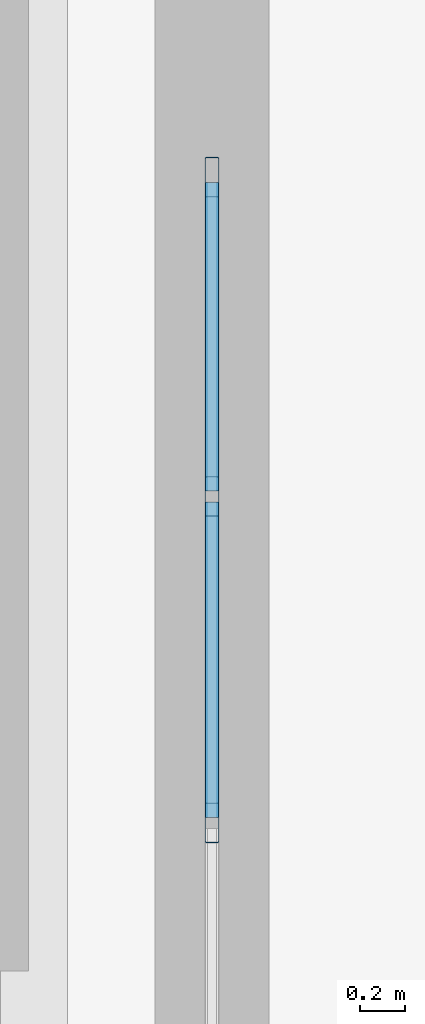
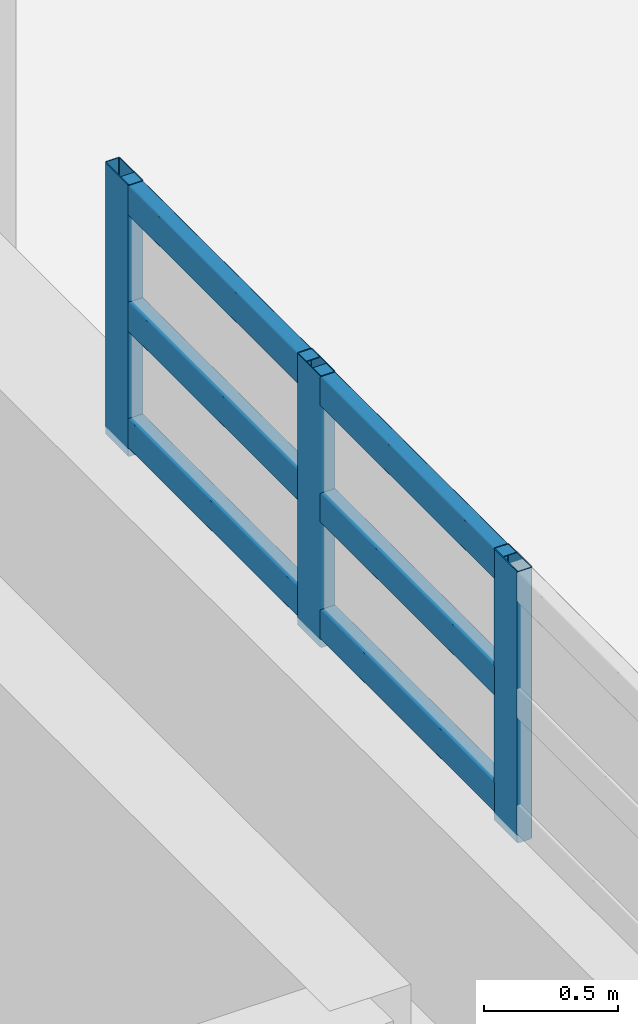
# One storey, part 132 of 197: 9 members, 1 element without a shape of its own.
"""IFC4 building model written with IfcOpenShell, lengths in metres."""

import ifcopenshell
import ifcopenshell.guid

model = None  # the IFC model being written
_history = None  # IfcOwnerHistory: only IFC2X3 demands one
_inside = {}  # id of a spatial element -> (the spatial element, [elements in it])
_under = {}  # id of a project, library or spatial element -> (it, [spatial elements below it])
_declared = {}  # id of a project -> (the project, [libraries it declares])
_typed = {}  # id of a type object -> (the type object, [elements of that type])
_made_of = {}  # id of a material, layer set ... -> (it, [elements and type objects made of it])


def new_model(schema):
    """Start an empty IFC model of exactly this schema.

    Asked for "IFC4X3", IfcOpenShell would pick the latest addendum, in which some entities
    have other attributes; the version numbers below select the first issue.
    IFC2X3 requires an IfcOwnerHistory on every rooted entity: one is made here for all.
    """
    global model, _history
    if schema == "IFC4X3":
        model = ifcopenshell.file(schema_version=(4, 3, 0, 0))
    else:
        model = ifcopenshell.file(schema=schema)
    _inside.clear()
    _under.clear()
    _declared.clear()
    _typed.clear()
    _made_of.clear()
    _history = None
    if model.schema == "IFC2X3":
        org = make("IfcOrganization", Name="unknown")
        user = make(
            "IfcPersonAndOrganization",
            ThePerson=make("IfcPerson", FamilyName="unknown"),
            TheOrganization=org,
        )
        app = make(
            "IfcApplication",
            ApplicationDeveloper=org,
            Version="unknown",
            ApplicationFullName="unknown",
            ApplicationIdentifier="unknown",
        )
        _history = make(
            "IfcOwnerHistory",
            OwningUser=user,
            OwningApplication=app,
            ChangeAction="ADDED",
            CreationDate=0,
        )
    return model


def make(cls, **values):
    """One entity of the class cls with the attributes given. An attribute that is None is left unset."""
    return model.create_entity(
        cls, **{name: value for name, value in values.items() if value is not None}
    )


def rooted(cls, **values):
    """An entity with a GlobalId (a new one), such as an element, a storey or a relation."""
    return make(cls, GlobalId=ifcopenshell.guid.new(), OwnerHistory=_history, **values)


def si_unit(unit_type, name, prefix=None):
    """IfcSIUnit, for example si_unit("LENGTHUNIT", "METRE", prefix="MILLI")."""
    return make("IfcSIUnit", UnitType=unit_type, Prefix=prefix, Name=name)


def derived_unit(unit_type, elements):
    """IfcDerivedUnit: a product of units, each with its exponent."""
    return make(
        "IfcDerivedUnit",
        Elements=[
            make("IfcDerivedUnitElement", Unit=unit, Exponent=power)
            for unit, power in elements
        ],
        UnitType=unit_type,
    )


def assignment(units):
    """IfcUnitAssignment: the units of a project."""
    return None if units is None else make("IfcUnitAssignment", Units=units)


def point(xyz):
    """IfcCartesianPoint."""
    return None if xyz is None else make("IfcCartesianPoint", Coordinates=xyz)


def direction(xyz):
    """IfcDirection."""
    return None if xyz is None else make("IfcDirection", DirectionRatios=xyz)


def frame(location, z_axis=None, x_axis=None):
    """IfcAxis2Placement3D, a coordinate frame: its origin and axes. An axis left out is left unset."""
    return make(
        "IfcAxis2Placement3D",
        Location=point(location),
        Axis=direction(z_axis),
        RefDirection=direction(x_axis),
    )


def frame_2d(location, x_axis=None):
    """IfcAxis2Placement2D, a coordinate frame in the plane: its origin and x axis."""
    return make(
        "IfcAxis2Placement2D", Location=point(location), RefDirection=direction(x_axis)
    )


def origin():
    """The frame at (0, 0, 0) with its axes left unset."""
    return frame((0.0, 0.0, 0.0))


def origin_2d():
    """The frame at (0, 0) in the plane with its x axis left unset."""
    return frame_2d((0.0, 0.0))


def place(relative_to, where):
    """IfcLocalPlacement: puts the frame where relative to a parent placement (None: the world)."""
    return make(
        "IfcLocalPlacement", PlacementRelTo=relative_to, RelativePlacement=where
    )


def context(
    kind, dimensions, precision=None, world=None, true_north=None, identifier=None
):
    """IfcGeometricRepresentationContext, for example the 3D "Model" context."""
    return make(
        "IfcGeometricRepresentationContext",
        ContextIdentifier=identifier,
        ContextType=kind,
        CoordinateSpaceDimension=dimensions,
        Precision=precision,
        WorldCoordinateSystem=world,
        TrueNorth=true_north,
    )


def subcontext(parent, identifier, kind, view, scale=None):
    """IfcGeometricRepresentationSubContext, for example "Body" below "Model"."""
    return make(
        "IfcGeometricRepresentationSubContext",
        ContextIdentifier=identifier,
        ContextType=kind,
        ParentContext=parent,
        TargetScale=scale,
        TargetView=view,
    )


def project(units=None, contexts=None):
    """IfcProject with its units and contexts."""
    return rooted(
        "IfcProject",
        Name="project",
        RepresentationContexts=contexts,
        UnitsInContext=assignment(units),
    )


def spatial(cls, under=None, at=None, **own):
    """A site, building, storey or space (cls), placed at a placement, below another one or the project."""
    s = rooted(cls, ObjectPlacement=at, **own)
    if under is not None:
        _under.setdefault(under.id(), (under, []))[1].append(s)
    return s


def profile(cls, at=None, kind="AREA", **sizes):
    """A parametric profile (cls). Its sizes go by their IFC names, for example OverallWidth=200.0."""
    return make(cls, ProfileType=kind, Position=at, **sizes)


def hollow_rectangle(**sizes):
    """IfcRectangleHollowProfileDef."""
    return profile("IfcRectangleHollowProfileDef", **sizes)


def extrude(swept, where, along, depth):
    """IfcExtrudedAreaSolid: the profile swept, set in the frame where, extruded along a direction by depth."""
    return make(
        "IfcExtrudedAreaSolid",
        SweptArea=swept,
        Position=where,
        ExtrudedDirection=direction(along),
        Depth=depth,
    )


def shape(context_of_items, identifier, shape_type, items):
    """IfcShapeRepresentation: the items that make up one representation, for example the "Body"."""
    return make(
        "IfcShapeRepresentation",
        ContextOfItems=context_of_items,
        RepresentationIdentifier=identifier,
        RepresentationType=shape_type,
        Items=items,
    )


def material(Name=None, Category=None):
    """IfcMaterial."""
    return make("IfcMaterial", Name=Name, Category=Category)


def layer(
    of_material, thickness, ventilated=None, Name=None, Category=None, Priority=None
):
    """IfcMaterialLayer: one layer of a wall or slab, of a material (None: an air gap)."""
    return make(
        "IfcMaterialLayer",
        Material=of_material,
        LayerThickness=thickness,
        IsVentilated=ventilated,
        Name=Name,
        Category=Category,
        Priority=Priority,
    )


def layer_set(layers, Name=None):
    """IfcMaterialLayerSet."""
    return make("IfcMaterialLayerSet", MaterialLayers=layers, LayerSetName=Name)


def material_profile(
    of_material, cross_section, Name=None, Category=None, Priority=None
):
    """IfcMaterialProfile: a cross section and its material."""
    return make(
        "IfcMaterialProfile",
        Name=Name,
        Material=of_material,
        Profile=cross_section,
        Priority=Priority,
        Category=Category,
    )


def profile_set(profiles, Name=None, composite=None):
    """IfcMaterialProfileSet."""
    return make(
        "IfcMaterialProfileSet",
        Name=Name,
        MaterialProfiles=profiles,
        CompositeProfile=composite,
    )


def made_of(thing, what):
    """Note that an element or type object is made of a material, layer set ...; save() writes the relation."""
    if what is not None:
        _made_of.setdefault(what.id(), (what, []))[1].append(thing)
    return thing


def type_object(cls, material=None, **own):
    """A type object (cls), such as IfcWallType, which elements share."""
    return made_of(rooted(cls, **own), material)


def element(
    cls,
    number,
    at=None,
    inside=None,
    cuts=None,
    type_object=None,
    material=None,
    context=None,
    identifier="Body",
    shape_type=None,
    held_by="IfcProductDefinitionShape",
    body=None,
    shapes=None,
    **own,
):
    """One element of the class cls, such as IfcWall. Its Tag is "e" and its number.

    at: its placement. inside: the storey or other place that contains it. cuts: it is an
    opening in that element (IfcRelVoidsElement). A single representation is given by context,
    identifier, shape_type and body (its items); several are given by shapes. held_by: the class
    of the entity that holds the representations. save() writes the other relations.
    """
    e = rooted(cls, Tag="e%d" % number, ObjectPlacement=at, **own)
    if body is not None:
        shapes = [shape(context, identifier, shape_type, body)]
    if shapes is not None:
        e.Representation = make(held_by, Representations=shapes)
    if inside is not None:
        _inside.setdefault(inside.id(), (inside, []))[1].append(e)
    if cuts is not None:
        rooted(
            "IfcRelVoidsElement", RelatingBuildingElement=cuts, RelatedOpeningElement=e
        )
    if type_object is not None:
        _typed.setdefault(type_object.id(), (type_object, []))[1].append(e)
    return made_of(e, material)


def aggregate(whole, parts):
    """IfcRelAggregates: a whole, such as a stair, and the parts it consists of."""
    return rooted("IfcRelAggregates", RelatingObject=whole, RelatedObjects=parts)


def save(model, path):
    """Write the relations noted so far, then the file.

    IfcRelAggregates (storeys below a building ...), IfcRelContainedInSpatialStructure (elements
    in a storey), IfcRelDefinesByType, IfcRelAssociatesMaterial and IfcRelDeclares: one each for
    every whole, place, type object, material and project.
    """
    for whole, parts in _under.values():
        aggregate(whole, parts)
    for where, things in _inside.values():
        rooted(
            "IfcRelContainedInSpatialStructure",
            RelatedElements=things,
            RelatingStructure=where,
        )
    for kind, things in _typed.values():
        rooted("IfcRelDefinesByType", RelatedObjects=things, RelatingType=kind)
    for what, things in _made_of.values():
        rooted("IfcRelAssociatesMaterial", RelatedObjects=things, RelatingMaterial=what)
    for by, libraries in _declared.values():
        rooted("IfcRelDeclares", RelatingContext=by, RelatedDefinitions=libraries)
    model.write(path)


model = new_model("IFC4")

# Units and contexts
model_context = context("Model", 3, precision=1e-05, world=origin(), true_north=direction((0.0, 1.0)))
body_context = subcontext(model_context, "Body", "Model", "MODEL_VIEW")
ifc_project = project(units=[si_unit("LENGTHUNIT", "METRE"), si_unit("AREAUNIT", "SQUARE_METRE"), si_unit("VOLUMEUNIT", "CUBIC_METRE"), si_unit("PLANEANGLEUNIT", "RADIAN"), si_unit("MASSUNIT", "GRAM", prefix="KILO"), derived_unit("THERMALTRANSMITTANCEUNIT", [(si_unit("POWERUNIT", "WATT"), 1), (si_unit("LENGTHUNIT", "METRE"), -2), (si_unit("THERMODYNAMICTEMPERATUREUNIT", "KELVIN"), -1)])], contexts=[model_context])

# Site, building, storey
site_placement = place(None, origin())
site = spatial("IfcSite", under=ifc_project, at=site_placement, CompositionType="ELEMENT")
building_placement = place(site_placement, origin())
building = spatial("IfcBuilding", under=site, at=building_placement, Name="Almenara Railside Exhibition Hall", CompositionType="ELEMENT")
storey_placement = place(building_placement, frame((0.0, 0.0, 5.39990234375)))
storey = spatial("IfcBuildingStorey", under=building, at=storey_placement, Name="L01", CompositionType="ELEMENT", Elevation=5.39990234375)

# Curtain wall, members
ifc_material_1 = material(Name="Bronze-anodised aluminium and low-E double glazing", Category="aluminium")
ifc_layer = layer(ifc_material_1, 0.179931640625, Name="Bronze-anodised aluminium and low-E double glazing")
ifc_layer_set = layer_set([ifc_layer], Name="Bronze-anodised aluminium and low-E double glazing")
curtain_wall_type = type_object("IfcCurtainWallType", Name="East Hall Clerestory Curtain Wall 4400x2300", PredefinedType="NOTDEFINED", material=ifc_layer_set)
curtain_wall_placement = place(storey_placement, origin())
curtain_wall = element("IfcCurtainWall", 1, at=curtain_wall_placement, inside=storey, type_object=curtain_wall_type, Name="Curtain wall CW-CL3-068", PredefinedType="NOTDEFINED")
ifc_material_2 = material(Name="Bronze-anodised aluminium", Category="aluminium")
ifc_material_profile_1 = material_profile(ifc_material_2, hollow_rectangle(XDim=0.06494140625, YDim=0.179931640625, WallThickness=0.00390625, InnerFilletRadius=0.00390625, OuterFilletRadius=0.008056640625, at=origin_2d()), Name="ALU-MUL 65x180x4")
ifc_profile_set_1 = profile_set([ifc_material_profile_1], Name="Bronze-anodised aluminium")
member_type_1 = type_object("IfcMemberType", Name="Curtain Wall Mullion 65x180x4", PredefinedType="MULLION", material=ifc_profile_set_1)
member_1_placement = place(storey_placement, frame((138.0, 99.2666015625, 5.4150390625), z_axis=(0.0, 0.0, 1.0), x_axis=(-1.0, 0.0, 0.0)))
member_1 = element("IfcMember", 2, at=member_1_placement, type_object=member_type_1, Name="CW-CL3-068 mullion 2", PredefinedType="MULLION", context=body_context, shape_type="SweptSolid", body=[
    extrude(hollow_rectangle(XDim=0.06494140625, YDim=0.179931640625, WallThickness=0.00390625, InnerFilletRadius=0.00390625, OuterFilletRadius=0.008056640625, at=origin_2d()), origin(), (0.0, 0.0, 1.0), 1.235107421875),
])
member_2_placement = place(storey_placement, frame((138.0, 100.7333984375, 5.4150390625), z_axis=(0.0, 0.0, 1.0), x_axis=(-1.0, 0.0, 0.0)))
member_2 = element("IfcMember", 3, at=member_2_placement, type_object=member_type_1, Name="CW-CL3-068 mullion 3", PredefinedType="MULLION", context=body_context, shape_type="SweptSolid", body=[
    extrude(hollow_rectangle(XDim=0.06494140625, YDim=0.179931640625, WallThickness=0.00390625, InnerFilletRadius=0.00390625, OuterFilletRadius=0.008056640625, at=origin_2d()), origin(), (0.0, 0.0, 1.0), 1.235107421875),
])
member_3_placement = place(storey_placement, frame((138.0, 102.16748046875, 5.4150390625), z_axis=(0.0, 0.0, 1.0), x_axis=(-1.0, 0.0, 0.0)))
member_3 = element("IfcMember", 4, at=member_3_placement, type_object=member_type_1, Name="CW-CL3-068 mullion 4", PredefinedType="MULLION", context=body_context, shape_type="SweptSolid", body=[
    extrude(hollow_rectangle(XDim=0.06494140625, YDim=0.179931640625, WallThickness=0.00390625, InnerFilletRadius=0.00390625, OuterFilletRadius=0.008056640625, at=origin_2d()), origin(), (0.0, 0.0, 1.0), 1.235107421875),
])
ifc_material_profile_2 = material_profile(ifc_material_2, hollow_rectangle(XDim=0.06494140625, YDim=0.139892578125, WallThickness=0.00341796875, InnerFilletRadius=0.00341796875, OuterFilletRadius=0.007080078125, at=origin_2d()), Name="ALU-TRN 65x140x3.5")
ifc_profile_set_2 = profile_set([ifc_material_profile_2], Name="Bronze-anodised aluminium")
member_type_2 = type_object("IfcMemberType", Name="Curtain Wall Transom 65x140x3.5", PredefinedType="USERDEFINED", material=ifc_profile_set_2)
member_4_placement = place(storey_placement, frame((138.0, 99.291259765625, 5.52001953125), z_axis=(0.0, 1.0, 0.0), x_axis=(-1.0, 0.0, 0.0)))
member_4 = element("IfcMember", 5, at=member_4_placement, type_object=member_type_2, Name="CW-CL3-068 transom 2.1", ObjectType="TRANSOM", PredefinedType="USERDEFINED", context=body_context, shape_type="SweptSolid", body=[
    extrude(hollow_rectangle(XDim=0.06494140625, YDim=0.139892578125, WallThickness=0.00341796875, InnerFilletRadius=0.00341796875, OuterFilletRadius=0.007080078125, at=origin_2d()), origin(), (0.0, 0.0, 1.0), 1.41748046875),
])
member_5_placement = place(storey_placement, frame((138.0, 99.291259765625, 6.050048828125), z_axis=(0.0, 1.0, 0.0), x_axis=(-1.0, 0.0, 0.0)))
member_5 = element("IfcMember", 6, at=member_5_placement, type_object=member_type_2, Name="CW-CL3-068 transom 2.2", ObjectType="TRANSOM", PredefinedType="USERDEFINED", context=body_context, shape_type="SweptSolid", body=[
    extrude(hollow_rectangle(XDim=0.06494140625, YDim=0.139892578125, WallThickness=0.00341796875, InnerFilletRadius=0.00341796875, OuterFilletRadius=0.007080078125, at=origin_2d()), origin(), (0.0, 0.0, 1.0), 1.41748046875),
])
member_6_placement = place(storey_placement, frame((138.0, 99.291259765625, 6.580078125), z_axis=(0.0, 1.0, 0.0), x_axis=(-1.0, 0.0, 0.0)))
member_6 = element("IfcMember", 7, at=member_6_placement, type_object=member_type_2, Name="CW-CL3-068 transom 2.3", ObjectType="TRANSOM", PredefinedType="USERDEFINED", context=body_context, shape_type="SweptSolid", body=[
    extrude(hollow_rectangle(XDim=0.06494140625, YDim=0.139892578125, WallThickness=0.00341796875, InnerFilletRadius=0.00341796875, OuterFilletRadius=0.007080078125, at=origin_2d()), origin(), (0.0, 0.0, 1.0), 1.41748046875),
])
member_7_placement = place(storey_placement, frame((138.0, 100.7578125, 5.52001953125), z_axis=(0.0, 1.0, 0.0), x_axis=(-1.0, 0.0, 0.0)))
member_7 = element("IfcMember", 8, at=member_7_placement, type_object=member_type_2, Name="CW-CL3-068 transom 3.1", ObjectType="TRANSOM", PredefinedType="USERDEFINED", context=body_context, shape_type="SweptSolid", body=[
    extrude(hollow_rectangle(XDim=0.06494140625, YDim=0.139892578125, WallThickness=0.00341796875, InnerFilletRadius=0.00341796875, OuterFilletRadius=0.007080078125, at=origin_2d()), origin(), (0.0, 0.0, 1.0), 1.38525390625),
])
member_8_placement = place(storey_placement, frame((138.0, 100.7578125, 6.050048828125), z_axis=(0.0, 1.0, 0.0), x_axis=(-1.0, 0.0, 0.0)))
member_8 = element("IfcMember", 9, at=member_8_placement, type_object=member_type_2, Name="CW-CL3-068 transom 3.2", ObjectType="TRANSOM", PredefinedType="USERDEFINED", context=body_context, shape_type="SweptSolid", body=[
    extrude(hollow_rectangle(XDim=0.06494140625, YDim=0.139892578125, WallThickness=0.00341796875, InnerFilletRadius=0.00341796875, OuterFilletRadius=0.007080078125, at=origin_2d()), origin(), (0.0, 0.0, 1.0), 1.38525390625),
])
member_9_placement = place(storey_placement, frame((138.0, 100.7578125, 6.580078125), z_axis=(0.0, 1.0, 0.0), x_axis=(-1.0, 0.0, 0.0)))
member_9 = element("IfcMember", 10, at=member_9_placement, type_object=member_type_2, Name="CW-CL3-068 transom 3.3", ObjectType="TRANSOM", PredefinedType="USERDEFINED", context=body_context, shape_type="SweptSolid", body=[
    extrude(hollow_rectangle(XDim=0.06494140625, YDim=0.139892578125, WallThickness=0.00341796875, InnerFilletRadius=0.00341796875, OuterFilletRadius=0.007080078125, at=origin_2d()), origin(), (0.0, 0.0, 1.0), 1.38525390625),
])
aggregate(curtain_wall, [member_1, member_2, member_3, member_4, member_5, member_6, member_7, member_8, member_9])

save(model, "model.ifc")
